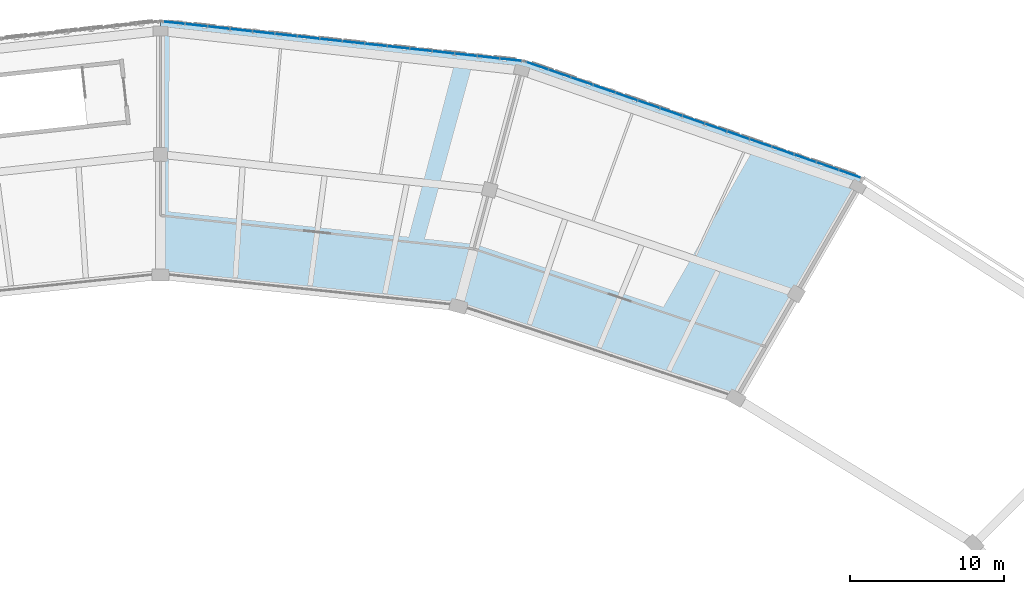
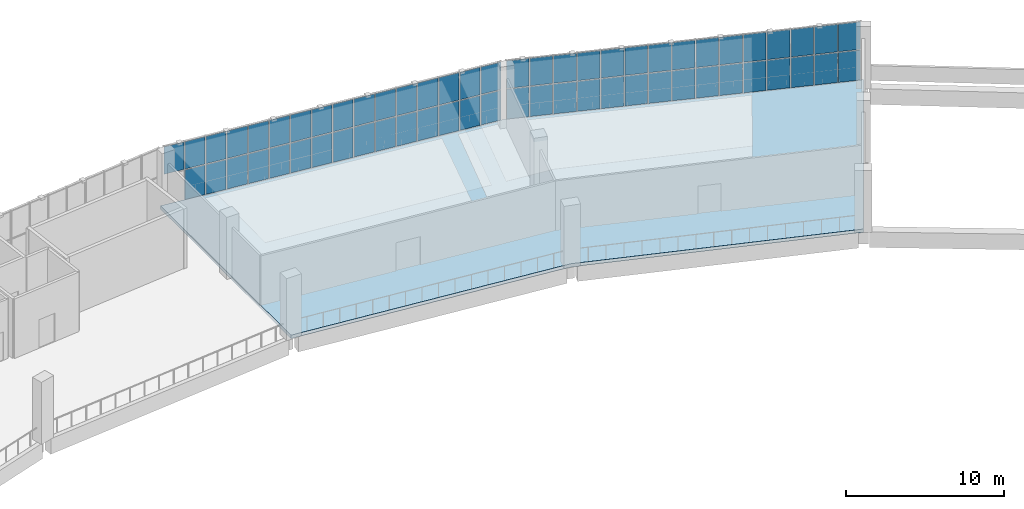
# One storey, part 41 of 64: 61 plates, 1 slab, 2 elements without a shape of their own.
"""IFC4 building model written with IfcOpenShell, lengths in metres."""

from ifc_helpers import new_model, si_unit, direction, frame, origin, origin_2d, place, context, subcontext, project, spatial, polyline, rectangle, outline, extrude, material, layer, layer_set, type_object, element, aggregate, save


model = new_model("IFC4")

# Units and contexts
model_context = context("Model", 3, precision=1e-05, world=origin(), true_north=direction((0.0, 1.0)))
body_context = subcontext(model_context, "Body", "Model", "MODEL_VIEW")
ifc_project = project(units=[si_unit("LENGTHUNIT", "METRE"), si_unit("AREAUNIT", "SQUARE_METRE"), si_unit("VOLUMEUNIT", "CUBIC_METRE"), si_unit("PLANEANGLEUNIT", "RADIAN"), si_unit("MASSUNIT", "GRAM", prefix="KILO")], contexts=[model_context])

# Site, building, storey
site_placement = place(None, origin())
site = spatial("IfcSite", under=ifc_project, at=site_placement, CompositionType="ELEMENT")
building_placement = place(site_placement, origin())
building = spatial("IfcBuilding", under=site, at=building_placement, Name="Zevraka Park Crest Stadium", CompositionType="ELEMENT")
storey_placement = place(building_placement, frame((0.0, 0.0, 24.60009765625)))
storey = spatial("IfcBuildingStorey", under=building, at=storey_placement, Name="L05", CompositionType="ELEMENT", Elevation=24.60009765625)

# Curtain wall, plates
ifc_material_1 = material(Name="Anodised architectural aluminium and laminated safety glass", Category="aluminium")
curtain_wall_type_1 = type_object("IfcCurtainWallType", Name="CW21", PredefinedType="NOTDEFINED", material=ifc_material_1)
curtain_wall_1_placement = place(storey_placement, origin())
curtain_wall_1 = element("IfcCurtainWall", 1, at=curtain_wall_1_placement, inside=storey, type_object=curtain_wall_type_1, Name="Unitised Ring Curtain Wall CW21 L05-05", PredefinedType="NOTDEFINED")
ifc_material_2 = material(Name="Solar-control laminated double glazing", Category="glass")
ifc_layer_1 = layer(ifc_material_2, 0.031982421875)
ifc_layer_set_1 = layer_set([ifc_layer_1], Name="Solar-control laminated double glazing")
plate_type_1 = type_object("IfcPlateType", Name="CP21", PredefinedType="CURTAIN_PANEL", material=ifc_layer_set_1)
plate_1_placement = place(storey_placement, frame((134.66015625, 165.427978515625, 0.06982421875), z_axis=(0.0, 0.0, 1.0), x_axis=(-0.994010156572, 0.109287733215, 0.0)))
plate_1 = element("IfcPlate", 2, at=plate_1_placement, type_object=plate_type_1, Name="CW21 panel 1.1", PredefinedType="CURTAIN_PANEL", context=body_context, shape_type="SweptSolid", body=[
    extrude(rectangle(XDim=1.3583984375, YDim=0.031982421875, at=origin_2d()), origin(), (0.0, 0.0, 1.0), 2.294921875),
])
plate_2_placement = place(storey_placement, frame((134.66015625, 165.427978515625, 2.43505859375), z_axis=(0.0, 0.0, 1.0), x_axis=(-0.994010156572, 0.109287733215, 0.0)))
plate_2 = element("IfcPlate", 3, at=plate_2_placement, type_object=plate_type_1, Name="CW21 panel 1.2", PredefinedType="CURTAIN_PANEL", context=body_context, shape_type="SweptSolid", body=[
    extrude(rectangle(XDim=1.3583984375, YDim=0.031982421875, at=origin_2d()), origin(), (0.0, 0.0, 1.0), 2.114990234375),
])
plate_3_placement = place(storey_placement, frame((133.222900390625, 165.5859375, 0.06982421875), z_axis=(0.0, 0.0, 1.0), x_axis=(-0.994010156572, 0.109287733215, 0.0)))
plate_3 = element("IfcPlate", 4, at=plate_3_placement, type_object=plate_type_1, Name="CW21 panel 2.1", PredefinedType="CURTAIN_PANEL", context=body_context, shape_type="SweptSolid", body=[
    extrude(rectangle(XDim=1.3935546875, YDim=0.031982421875, at=origin_2d()), origin(), (0.0, 0.0, 1.0), 2.294921875),
])
plate_4_placement = place(storey_placement, frame((133.222900390625, 165.5859375, 2.43505859375), z_axis=(0.0, 0.0, 1.0), x_axis=(-0.994010156572, 0.109287733215, 0.0)))
plate_4 = element("IfcPlate", 5, at=plate_4_placement, type_object=plate_type_1, Name="CW21 panel 2.2", PredefinedType="CURTAIN_PANEL", context=body_context, shape_type="SweptSolid", body=[
    extrude(rectangle(XDim=1.3935546875, YDim=0.031982421875, at=origin_2d()), origin(), (0.0, 0.0, 1.0), 2.114990234375),
])
plate_5_placement = place(storey_placement, frame((131.768310546875, 165.745849609375, 0.06982421875), z_axis=(0.0, 0.0, 1.0), x_axis=(-0.994010156572, 0.109287733215, 0.0)))
plate_5 = element("IfcPlate", 6, at=plate_5_placement, type_object=plate_type_1, Name="CW21 panel 3.1", PredefinedType="CURTAIN_PANEL", context=body_context, shape_type="SweptSolid", body=[
    extrude(rectangle(XDim=1.3935546875, YDim=0.031982421875, at=origin_2d()), origin(), (0.0, 0.0, 1.0), 2.294921875),
])
plate_6_placement = place(storey_placement, frame((131.768310546875, 165.745849609375, 2.43505859375), z_axis=(0.0, 0.0, 1.0), x_axis=(-0.994010156572, 0.109287733215, 0.0)))
plate_6 = element("IfcPlate", 7, at=plate_6_placement, type_object=plate_type_1, Name="CW21 panel 3.2", PredefinedType="CURTAIN_PANEL", context=body_context, shape_type="SweptSolid", body=[
    extrude(rectangle(XDim=1.3935546875, YDim=0.031982421875, at=origin_2d()), origin(), (0.0, 0.0, 1.0), 2.114990234375),
])
plate_7_placement = place(storey_placement, frame((130.3134765625, 165.90576171875, 0.06982421875), z_axis=(0.0, 0.0, 1.0), x_axis=(-0.994010156572, 0.109287733215, 0.0)))
plate_7 = element("IfcPlate", 8, at=plate_7_placement, type_object=plate_type_1, Name="CW21 panel 4.1", PredefinedType="CURTAIN_PANEL", context=body_context, shape_type="SweptSolid", body=[
    extrude(rectangle(XDim=1.3935546875, YDim=0.031982421875, at=origin_2d()), origin(), (0.0, 0.0, 1.0), 2.294921875),
])
plate_8_placement = place(storey_placement, frame((130.3134765625, 165.90576171875, 2.43505859375), z_axis=(0.0, 0.0, 1.0), x_axis=(-0.994010156572, 0.109287733215, 0.0)))
plate_8 = element("IfcPlate", 9, at=plate_8_placement, type_object=plate_type_1, Name="CW21 panel 4.2", PredefinedType="CURTAIN_PANEL", context=body_context, shape_type="SweptSolid", body=[
    extrude(rectangle(XDim=1.3935546875, YDim=0.031982421875, at=origin_2d()), origin(), (0.0, 0.0, 1.0), 2.114990234375),
])
plate_9_placement = place(storey_placement, frame((128.85888671875, 166.065673828125, 0.06982421875), z_axis=(0.0, 0.0, 1.0), x_axis=(-0.994010156572, 0.109287733215, 0.0)))
plate_9 = element("IfcPlate", 10, at=plate_9_placement, type_object=plate_type_1, Name="CW21 panel 5.1", PredefinedType="CURTAIN_PANEL", context=body_context, shape_type="SweptSolid", body=[
    extrude(rectangle(XDim=1.3935546875, YDim=0.031982421875, at=origin_2d()), origin(), (0.0, 0.0, 1.0), 2.294921875),
])
plate_10_placement = place(storey_placement, frame((128.85888671875, 166.065673828125, 2.43505859375), z_axis=(0.0, 0.0, 1.0), x_axis=(-0.994010156572, 0.109287733215, 0.0)))
plate_10 = element("IfcPlate", 11, at=plate_10_placement, type_object=plate_type_1, Name="CW21 panel 5.2", PredefinedType="CURTAIN_PANEL", context=body_context, shape_type="SweptSolid", body=[
    extrude(rectangle(XDim=1.3935546875, YDim=0.031982421875, at=origin_2d()), origin(), (0.0, 0.0, 1.0), 2.114990234375),
])
plate_11_placement = place(storey_placement, frame((127.404296875, 166.2255859375, 0.06982421875), z_axis=(0.0, 0.0, 1.0), x_axis=(-0.994010156572, 0.109287733215, 0.0)))
plate_11 = element("IfcPlate", 12, at=plate_11_placement, type_object=plate_type_1, Name="CW21 panel 6.1", PredefinedType="CURTAIN_PANEL", context=body_context, shape_type="SweptSolid", body=[
    extrude(rectangle(XDim=1.3935546875, YDim=0.031982421875, at=origin_2d()), origin(), (0.0, 0.0, 1.0), 2.294921875),
])
plate_12_placement = place(storey_placement, frame((127.404296875, 166.2255859375, 2.43505859375), z_axis=(0.0, 0.0, 1.0), x_axis=(-0.994010156572, 0.109287733215, 0.0)))
plate_12 = element("IfcPlate", 13, at=plate_12_placement, type_object=plate_type_1, Name="CW21 panel 6.2", PredefinedType="CURTAIN_PANEL", context=body_context, shape_type="SweptSolid", body=[
    extrude(rectangle(XDim=1.3935546875, YDim=0.031982421875, at=origin_2d()), origin(), (0.0, 0.0, 1.0), 2.114990234375),
])
plate_13_placement = place(storey_placement, frame((125.949462890625, 166.385498046875, 0.06982421875), z_axis=(0.0, 0.0, 1.0), x_axis=(-0.994010156572, 0.109287733215, 0.0)))
plate_13 = element("IfcPlate", 14, at=plate_13_placement, type_object=plate_type_1, Name="CW21 panel 7.1", PredefinedType="CURTAIN_PANEL", context=body_context, shape_type="SweptSolid", body=[
    extrude(rectangle(XDim=1.3935546875, YDim=0.031982421875, at=origin_2d()), origin(), (0.0, 0.0, 1.0), 2.294921875),
])
plate_14_placement = place(storey_placement, frame((125.949462890625, 166.385498046875, 2.43505859375), z_axis=(0.0, 0.0, 1.0), x_axis=(-0.994010156572, 0.109287733215, 0.0)))
plate_14 = element("IfcPlate", 15, at=plate_14_placement, type_object=plate_type_1, Name="CW21 panel 7.2", PredefinedType="CURTAIN_PANEL", context=body_context, shape_type="SweptSolid", body=[
    extrude(rectangle(XDim=1.3935546875, YDim=0.031982421875, at=origin_2d()), origin(), (0.0, 0.0, 1.0), 2.114990234375),
])
plate_15_placement = place(storey_placement, frame((124.494873046875, 166.54541015625, 0.06982421875), z_axis=(0.0, 0.0, 1.0), x_axis=(-0.994010156572, 0.109287733215, 0.0)))
plate_15 = element("IfcPlate", 16, at=plate_15_placement, type_object=plate_type_1, Name="CW21 panel 8.1", PredefinedType="CURTAIN_PANEL", context=body_context, shape_type="SweptSolid", body=[
    extrude(rectangle(XDim=1.3935546875, YDim=0.031982421875, at=origin_2d()), origin(), (0.0, 0.0, 1.0), 2.294921875),
])
plate_16_placement = place(storey_placement, frame((124.494873046875, 166.54541015625, 2.43505859375), z_axis=(0.0, 0.0, 1.0), x_axis=(-0.994010156572, 0.109287733215, 0.0)))
plate_16 = element("IfcPlate", 17, at=plate_16_placement, type_object=plate_type_1, Name="CW21 panel 8.2", PredefinedType="CURTAIN_PANEL", context=body_context, shape_type="SweptSolid", body=[
    extrude(rectangle(XDim=1.3935546875, YDim=0.031982421875, at=origin_2d()), origin(), (0.0, 0.0, 1.0), 2.114990234375),
])
plate_17_placement = place(storey_placement, frame((123.0400390625, 166.70556640625, 0.06982421875), z_axis=(0.0, 0.0, 1.0), x_axis=(-0.994010156572, 0.109287733215, 0.0)))
plate_17 = element("IfcPlate", 18, at=plate_17_placement, type_object=plate_type_1, Name="CW21 panel 9.1", PredefinedType="CURTAIN_PANEL", context=body_context, shape_type="SweptSolid", body=[
    extrude(rectangle(XDim=1.3935546875, YDim=0.031982421875, at=origin_2d()), origin(), (0.0, 0.0, 1.0), 2.294921875),
])
plate_18_placement = place(storey_placement, frame((123.0400390625, 166.70556640625, 2.43505859375), z_axis=(0.0, 0.0, 1.0), x_axis=(-0.994010156572, 0.109287733215, 0.0)))
plate_18 = element("IfcPlate", 19, at=plate_18_placement, type_object=plate_type_1, Name="CW21 panel 9.2", PredefinedType="CURTAIN_PANEL", context=body_context, shape_type="SweptSolid", body=[
    extrude(rectangle(XDim=1.3935546875, YDim=0.031982421875, at=origin_2d()), origin(), (0.0, 0.0, 1.0), 2.114990234375),
])
plate_19_placement = place(storey_placement, frame((121.58544921875, 166.865478515625, 0.06982421875), z_axis=(0.0, 0.0, 1.0), x_axis=(-0.994010156572, 0.109287733215, 0.0)))
plate_19 = element("IfcPlate", 20, at=plate_19_placement, type_object=plate_type_1, Name="CW21 panel 10.1", PredefinedType="CURTAIN_PANEL", context=body_context, shape_type="SweptSolid", body=[
    extrude(rectangle(XDim=1.3935546875, YDim=0.031982421875, at=origin_2d()), origin(), (0.0, 0.0, 1.0), 2.294921875),
])
plate_20_placement = place(storey_placement, frame((121.58544921875, 166.865478515625, 2.43505859375), z_axis=(0.0, 0.0, 1.0), x_axis=(-0.994010156572, 0.109287733215, 0.0)))
plate_20 = element("IfcPlate", 21, at=plate_20_placement, type_object=plate_type_1, Name="CW21 panel 10.2", PredefinedType="CURTAIN_PANEL", context=body_context, shape_type="SweptSolid", body=[
    extrude(rectangle(XDim=1.3935546875, YDim=0.031982421875, at=origin_2d()), origin(), (0.0, 0.0, 1.0), 2.114990234375),
])
plate_21_placement = place(storey_placement, frame((120.130859375, 167.025390625, 0.06982421875), z_axis=(0.0, 0.0, 1.0), x_axis=(-0.994010156572, 0.109287733215, 0.0)))
plate_21 = element("IfcPlate", 22, at=plate_21_placement, type_object=plate_type_1, Name="CW21 panel 11.1", PredefinedType="CURTAIN_PANEL", context=body_context, shape_type="SweptSolid", body=[
    extrude(rectangle(XDim=1.3935546875, YDim=0.031982421875, at=origin_2d()), origin(), (0.0, 0.0, 1.0), 2.294921875),
])
plate_22_placement = place(storey_placement, frame((120.130859375, 167.025390625, 2.43505859375), z_axis=(0.0, 0.0, 1.0), x_axis=(-0.994010156572, 0.109287733215, 0.0)))
plate_22 = element("IfcPlate", 23, at=plate_22_placement, type_object=plate_type_1, Name="CW21 panel 11.2", PredefinedType="CURTAIN_PANEL", context=body_context, shape_type="SweptSolid", body=[
    extrude(rectangle(XDim=1.3935546875, YDim=0.031982421875, at=origin_2d()), origin(), (0.0, 0.0, 1.0), 2.114990234375),
])
plate_23_placement = place(storey_placement, frame((118.676025390625, 167.185302734375, 0.06982421875), z_axis=(0.0, 0.0, 1.0), x_axis=(-0.994010156572, 0.109287733215, 0.0)))
plate_23 = element("IfcPlate", 24, at=plate_23_placement, type_object=plate_type_1, Name="CW21 panel 12.1", PredefinedType="CURTAIN_PANEL", context=body_context, shape_type="SweptSolid", body=[
    extrude(rectangle(XDim=1.3935546875, YDim=0.031982421875, at=origin_2d()), origin(), (0.0, 0.0, 1.0), 2.294921875),
])
plate_24_placement = place(storey_placement, frame((118.676025390625, 167.185302734375, 2.43505859375), z_axis=(0.0, 0.0, 1.0), x_axis=(-0.994010156572, 0.109287733215, 0.0)))
plate_24 = element("IfcPlate", 25, at=plate_24_placement, type_object=plate_type_1, Name="CW21 panel 12.2", PredefinedType="CURTAIN_PANEL", context=body_context, shape_type="SweptSolid", body=[
    extrude(rectangle(XDim=1.3935546875, YDim=0.031982421875, at=origin_2d()), origin(), (0.0, 0.0, 1.0), 2.114990234375),
])
plate_25_placement = place(storey_placement, frame((117.221435546875, 167.34521484375, 0.06982421875), z_axis=(0.0, 0.0, 1.0), x_axis=(-0.994010156572, 0.109287733215, 0.0)))
plate_25 = element("IfcPlate", 26, at=plate_25_placement, type_object=plate_type_1, Name="CW21 panel 13.1", PredefinedType="CURTAIN_PANEL", context=body_context, shape_type="SweptSolid", body=[
    extrude(rectangle(XDim=1.3935546875, YDim=0.031982421875, at=origin_2d()), origin(), (0.0, 0.0, 1.0), 2.294921875),
])
plate_26_placement = place(storey_placement, frame((117.221435546875, 167.34521484375, 2.43505859375), z_axis=(0.0, 0.0, 1.0), x_axis=(-0.994010156572, 0.109287733215, 0.0)))
plate_26 = element("IfcPlate", 27, at=plate_26_placement, type_object=plate_type_1, Name="CW21 panel 13.2", PredefinedType="CURTAIN_PANEL", context=body_context, shape_type="SweptSolid", body=[
    extrude(rectangle(XDim=1.3935546875, YDim=0.031982421875, at=origin_2d()), origin(), (0.0, 0.0, 1.0), 2.114990234375),
])
plate_27_placement = place(storey_placement, frame((115.7666015625, 167.505126953125, 0.06982421875), z_axis=(0.0, 0.0, 1.0), x_axis=(-0.994010156572, 0.109287733215, 0.0)))
plate_27 = element("IfcPlate", 28, at=plate_27_placement, type_object=plate_type_1, Name="CW21 panel 14.1", PredefinedType="CURTAIN_PANEL", context=body_context, shape_type="SweptSolid", body=[
    extrude(rectangle(XDim=1.3935546875, YDim=0.031982421875, at=origin_2d()), origin(), (0.0, 0.0, 1.0), 2.294921875),
])
plate_28_placement = place(storey_placement, frame((115.7666015625, 167.505126953125, 2.43505859375), z_axis=(0.0, 0.0, 1.0), x_axis=(-0.994010156572, 0.109287733215, 0.0)))
plate_28 = element("IfcPlate", 29, at=plate_28_placement, type_object=plate_type_1, Name="CW21 panel 14.2", PredefinedType="CURTAIN_PANEL", context=body_context, shape_type="SweptSolid", body=[
    extrude(rectangle(XDim=1.3935546875, YDim=0.031982421875, at=origin_2d()), origin(), (0.0, 0.0, 1.0), 2.114990234375),
])
plate_29_placement = place(storey_placement, frame((114.31201171875, 167.6650390625, 0.06982421875), z_axis=(0.0, 0.0, 1.0), x_axis=(-0.994010156572, 0.109287733215, 0.0)))
plate_29 = element("IfcPlate", 30, at=plate_29_placement, type_object=plate_type_1, Name="CW21 panel 15.1", PredefinedType="CURTAIN_PANEL", context=body_context, shape_type="SweptSolid", body=[
    extrude(rectangle(XDim=1.3935546875, YDim=0.031982421875, at=origin_2d()), origin(), (0.0, 0.0, 1.0), 2.294921875),
])
plate_30_placement = place(storey_placement, frame((114.31201171875, 167.6650390625, 2.43505859375), z_axis=(0.0, 0.0, 1.0), x_axis=(-0.994010156572, 0.109287733215, 0.0)))
plate_30 = element("IfcPlate", 31, at=plate_30_placement, type_object=plate_type_1, Name="CW21 panel 15.2", PredefinedType="CURTAIN_PANEL", context=body_context, shape_type="SweptSolid", body=[
    extrude(rectangle(XDim=1.3935546875, YDim=0.031982421875, at=origin_2d()), origin(), (0.0, 0.0, 1.0), 2.114990234375),
])
plate_31_placement = place(storey_placement, frame((112.874755859375, 167.822998046875, 2.43505859375), z_axis=(0.0, 0.0, 1.0), x_axis=(-0.994010156572, 0.109287733215, 0.0)))
plate_31 = element("IfcPlate", 32, at=plate_31_placement, type_object=plate_type_1, Name="CW21 panel 16.2", PredefinedType="CURTAIN_PANEL", context=body_context, shape_type="SweptSolid", body=[
    extrude(rectangle(XDim=1.3583984375, YDim=0.031982421875, at=origin_2d()), origin(), (0.0, 0.0, 1.0), 2.114990234375),
])
aggregate(curtain_wall_1, [plate_1, plate_2, plate_3, plate_4, plate_5, plate_6, plate_7, plate_8, plate_9, plate_10, plate_11, plate_12, plate_13, plate_14, plate_15, plate_16, plate_17, plate_18, plate_19, plate_20, plate_21, plate_22, plate_23, plate_24, plate_25, plate_26, plate_27, plate_28, plate_29, plate_30, plate_31])

ifc_material_3 = material(Name="Anodised architectural aluminium and laminated safety glass", Category="aluminium")
curtain_wall_type_2 = type_object("IfcCurtainWallType", Name="CW22", PredefinedType="NOTDEFINED", material=ifc_material_3)
curtain_wall_2_placement = place(storey_placement, origin())
curtain_wall_2 = element("IfcCurtainWall", 33, at=curtain_wall_2_placement, inside=storey, type_object=curtain_wall_type_2, Name="Unitised Ring Curtain Wall CW22 L05-04", PredefinedType="NOTDEFINED")
ifc_material_4 = material(Name="Solar-control laminated double glazing", Category="glass")
ifc_layer_2 = layer(ifc_material_4, 0.031982421875)
ifc_layer_set_2 = layer_set([ifc_layer_2], Name="Solar-control laminated double glazing")
plate_type_2 = type_object("IfcPlateType", Name="CP22", PredefinedType="CURTAIN_PANEL", material=ifc_layer_set_2)
plate_32_placement = place(storey_placement, frame((156.60498046875, 158.04296875, 0.059814453125), z_axis=(0.0, 0.0, 1.0), x_axis=(-0.945048755979, 0.326929424834, 0.0)))
plate_32 = element("IfcPlate", 34, at=plate_32_placement, type_object=plate_type_2, Name="CW22 panel 1.1", PredefinedType="CURTAIN_PANEL", context=body_context, shape_type="SweptSolid", body=[
    extrude(rectangle(XDim=1.439697265625, YDim=0.031982421875, at=origin_2d()), origin(), (0.0, 0.0, 1.0), 2.31005859375),
])
plate_33_placement = place(storey_placement, frame((156.60498046875, 158.04296875, 2.429931640625), z_axis=(0.0, 0.0, 1.0), x_axis=(-0.945048755979, 0.326929424834, 0.0)))
plate_33 = element("IfcPlate", 35, at=plate_33_placement, type_object=plate_type_2, Name="CW22 panel 1.2", PredefinedType="CURTAIN_PANEL", context=body_context, shape_type="SweptSolid", body=[
    extrude(rectangle(XDim=1.439697265625, YDim=0.031982421875, at=origin_2d()), origin(), (0.0, 0.0, 1.0), 2.1298828125),
])
plate_34_placement = place(storey_placement, frame((155.173583984375, 158.5380859375, 0.059814453125), z_axis=(0.0, 0.0, 1.0), x_axis=(-0.945048755979, 0.326929424834, 0.0)))
plate_34 = element("IfcPlate", 36, at=plate_34_placement, type_object=plate_type_2, Name="CW22 panel 2.1", PredefinedType="CURTAIN_PANEL", context=body_context, shape_type="SweptSolid", body=[
    extrude(rectangle(XDim=1.469482421875, YDim=0.031982421875, at=origin_2d()), origin(), (0.0, 0.0, 1.0), 2.31005859375),
])
plate_35_placement = place(storey_placement, frame((155.173583984375, 158.5380859375, 2.429931640625), z_axis=(0.0, 0.0, 1.0), x_axis=(-0.945048755979, 0.326929424834, 0.0)))
plate_35 = element("IfcPlate", 37, at=plate_35_placement, type_object=plate_type_2, Name="CW22 panel 2.2", PredefinedType="CURTAIN_PANEL", context=body_context, shape_type="SweptSolid", body=[
    extrude(rectangle(XDim=1.469482421875, YDim=0.031982421875, at=origin_2d()), origin(), (0.0, 0.0, 1.0), 2.1298828125),
])
plate_36_placement = place(storey_placement, frame((153.728271484375, 159.0380859375, 0.059814453125), z_axis=(0.0, 0.0, 1.0), x_axis=(-0.945048755979, 0.326929424834, 0.0)))
plate_36 = element("IfcPlate", 38, at=plate_36_placement, type_object=plate_type_2, Name="CW22 panel 3.1", PredefinedType="CURTAIN_PANEL", context=body_context, shape_type="SweptSolid", body=[
    extrude(rectangle(XDim=1.469482421875, YDim=0.031982421875, at=origin_2d()), origin(), (0.0, 0.0, 1.0), 2.31005859375),
])
plate_37_placement = place(storey_placement, frame((153.728271484375, 159.0380859375, 2.429931640625), z_axis=(0.0, 0.0, 1.0), x_axis=(-0.945048755979, 0.326929424834, 0.0)))
plate_37 = element("IfcPlate", 39, at=plate_37_placement, type_object=plate_type_2, Name="CW22 panel 3.2", PredefinedType="CURTAIN_PANEL", context=body_context, shape_type="SweptSolid", body=[
    extrude(rectangle(XDim=1.469482421875, YDim=0.031982421875, at=origin_2d()), origin(), (0.0, 0.0, 1.0), 2.1298828125),
])
plate_38_placement = place(storey_placement, frame((152.28271484375, 159.538330078125, 0.059814453125), z_axis=(0.0, 0.0, 1.0), x_axis=(-0.945048755979, 0.326929424834, 0.0)))
plate_38 = element("IfcPlate", 40, at=plate_38_placement, type_object=plate_type_2, Name="CW22 panel 4.1", PredefinedType="CURTAIN_PANEL", context=body_context, shape_type="SweptSolid", body=[
    extrude(rectangle(XDim=1.469482421875, YDim=0.031982421875, at=origin_2d()), origin(), (0.0, 0.0, 1.0), 2.31005859375),
])
plate_39_placement = place(storey_placement, frame((152.28271484375, 159.538330078125, 2.429931640625), z_axis=(0.0, 0.0, 1.0), x_axis=(-0.945048755979, 0.326929424834, 0.0)))
plate_39 = element("IfcPlate", 41, at=plate_39_placement, type_object=plate_type_2, Name="CW22 panel 4.2", PredefinedType="CURTAIN_PANEL", context=body_context, shape_type="SweptSolid", body=[
    extrude(rectangle(XDim=1.469482421875, YDim=0.031982421875, at=origin_2d()), origin(), (0.0, 0.0, 1.0), 2.1298828125),
])
plate_40_placement = place(storey_placement, frame((150.837158203125, 160.038330078125, 0.059814453125), z_axis=(0.0, 0.0, 1.0), x_axis=(-0.945048755979, 0.326929424834, 0.0)))
plate_40 = element("IfcPlate", 42, at=plate_40_placement, type_object=plate_type_2, Name="CW22 panel 5.1", PredefinedType="CURTAIN_PANEL", context=body_context, shape_type="SweptSolid", body=[
    extrude(rectangle(XDim=1.469482421875, YDim=0.031982421875, at=origin_2d()), origin(), (0.0, 0.0, 1.0), 2.31005859375),
])
plate_41_placement = place(storey_placement, frame((150.837158203125, 160.038330078125, 2.429931640625), z_axis=(0.0, 0.0, 1.0), x_axis=(-0.945048755979, 0.326929424834, 0.0)))
plate_41 = element("IfcPlate", 43, at=plate_41_placement, type_object=plate_type_2, Name="CW22 panel 5.2", PredefinedType="CURTAIN_PANEL", context=body_context, shape_type="SweptSolid", body=[
    extrude(rectangle(XDim=1.469482421875, YDim=0.031982421875, at=origin_2d()), origin(), (0.0, 0.0, 1.0), 2.1298828125),
])
plate_42_placement = place(storey_placement, frame((149.3916015625, 160.538330078125, 0.059814453125), z_axis=(0.0, 0.0, 1.0), x_axis=(-0.945048755979, 0.326929424834, 0.0)))
plate_42 = element("IfcPlate", 44, at=plate_42_placement, type_object=plate_type_2, Name="CW22 panel 6.1", PredefinedType="CURTAIN_PANEL", context=body_context, shape_type="SweptSolid", body=[
    extrude(rectangle(XDim=1.469482421875, YDim=0.031982421875, at=origin_2d()), origin(), (0.0, 0.0, 1.0), 2.31005859375),
])
plate_43_placement = place(storey_placement, frame((149.3916015625, 160.538330078125, 2.429931640625), z_axis=(0.0, 0.0, 1.0), x_axis=(-0.945048755979, 0.326929424834, 0.0)))
plate_43 = element("IfcPlate", 45, at=plate_43_placement, type_object=plate_type_2, Name="CW22 panel 6.2", PredefinedType="CURTAIN_PANEL", context=body_context, shape_type="SweptSolid", body=[
    extrude(rectangle(XDim=1.469482421875, YDim=0.031982421875, at=origin_2d()), origin(), (0.0, 0.0, 1.0), 2.1298828125),
])
plate_44_placement = place(storey_placement, frame((147.946044921875, 161.038330078125, 0.059814453125), z_axis=(0.0, 0.0, 1.0), x_axis=(-0.945048755979, 0.326929424834, 0.0)))
plate_44 = element("IfcPlate", 46, at=plate_44_placement, type_object=plate_type_2, Name="CW22 panel 7.1", PredefinedType="CURTAIN_PANEL", context=body_context, shape_type="SweptSolid", body=[
    extrude(rectangle(XDim=1.469482421875, YDim=0.031982421875, at=origin_2d()), origin(), (0.0, 0.0, 1.0), 2.31005859375),
])
plate_45_placement = place(storey_placement, frame((147.946044921875, 161.038330078125, 2.429931640625), z_axis=(0.0, 0.0, 1.0), x_axis=(-0.945048755979, 0.326929424834, 0.0)))
plate_45 = element("IfcPlate", 47, at=plate_45_placement, type_object=plate_type_2, Name="CW22 panel 7.2", PredefinedType="CURTAIN_PANEL", context=body_context, shape_type="SweptSolid", body=[
    extrude(rectangle(XDim=1.469482421875, YDim=0.031982421875, at=origin_2d()), origin(), (0.0, 0.0, 1.0), 2.1298828125),
])
plate_46_placement = place(storey_placement, frame((146.50048828125, 161.53857421875, 0.059814453125), z_axis=(0.0, 0.0, 1.0), x_axis=(-0.945048755979, 0.326929424834, 0.0)))
plate_46 = element("IfcPlate", 48, at=plate_46_placement, type_object=plate_type_2, Name="CW22 panel 8.1", PredefinedType="CURTAIN_PANEL", context=body_context, shape_type="SweptSolid", body=[
    extrude(rectangle(XDim=1.469482421875, YDim=0.031982421875, at=origin_2d()), origin(), (0.0, 0.0, 1.0), 2.31005859375),
])
plate_47_placement = place(storey_placement, frame((146.50048828125, 161.53857421875, 2.429931640625), z_axis=(0.0, 0.0, 1.0), x_axis=(-0.945048755979, 0.326929424834, 0.0)))
plate_47 = element("IfcPlate", 49, at=plate_47_placement, type_object=plate_type_2, Name="CW22 panel 8.2", PredefinedType="CURTAIN_PANEL", context=body_context, shape_type="SweptSolid", body=[
    extrude(rectangle(XDim=1.469482421875, YDim=0.031982421875, at=origin_2d()), origin(), (0.0, 0.0, 1.0), 2.1298828125),
])
plate_48_placement = place(storey_placement, frame((145.054931640625, 162.03857421875, 0.059814453125), z_axis=(0.0, 0.0, 1.0), x_axis=(-0.945048755979, 0.326929424834, 0.0)))
plate_48 = element("IfcPlate", 50, at=plate_48_placement, type_object=plate_type_2, Name="CW22 panel 9.1", PredefinedType="CURTAIN_PANEL", context=body_context, shape_type="SweptSolid", body=[
    extrude(rectangle(XDim=1.469482421875, YDim=0.031982421875, at=origin_2d()), origin(), (0.0, 0.0, 1.0), 2.31005859375),
])
plate_49_placement = place(storey_placement, frame((145.054931640625, 162.03857421875, 2.429931640625), z_axis=(0.0, 0.0, 1.0), x_axis=(-0.945048755979, 0.326929424834, 0.0)))
plate_49 = element("IfcPlate", 51, at=plate_49_placement, type_object=plate_type_2, Name="CW22 panel 9.2", PredefinedType="CURTAIN_PANEL", context=body_context, shape_type="SweptSolid", body=[
    extrude(rectangle(XDim=1.469482421875, YDim=0.031982421875, at=origin_2d()), origin(), (0.0, 0.0, 1.0), 2.1298828125),
])
plate_50_placement = place(storey_placement, frame((143.609375, 162.53857421875, 0.059814453125), z_axis=(0.0, 0.0, 1.0), x_axis=(-0.945048755979, 0.326929424834, 0.0)))
plate_50 = element("IfcPlate", 52, at=plate_50_placement, type_object=plate_type_2, Name="CW22 panel 10.1", PredefinedType="CURTAIN_PANEL", context=body_context, shape_type="SweptSolid", body=[
    extrude(rectangle(XDim=1.469482421875, YDim=0.031982421875, at=origin_2d()), origin(), (0.0, 0.0, 1.0), 2.31005859375),
])
plate_51_placement = place(storey_placement, frame((143.609375, 162.53857421875, 2.429931640625), z_axis=(0.0, 0.0, 1.0), x_axis=(-0.945048755979, 0.326929424834, 0.0)))
plate_51 = element("IfcPlate", 53, at=plate_51_placement, type_object=plate_type_2, Name="CW22 panel 10.2", PredefinedType="CURTAIN_PANEL", context=body_context, shape_type="SweptSolid", body=[
    extrude(rectangle(XDim=1.469482421875, YDim=0.031982421875, at=origin_2d()), origin(), (0.0, 0.0, 1.0), 2.1298828125),
])
plate_52_placement = place(storey_placement, frame((142.163818359375, 163.038818359375, 0.059814453125), z_axis=(0.0, 0.0, 1.0), x_axis=(-0.945048755979, 0.326929424834, 0.0)))
plate_52 = element("IfcPlate", 54, at=plate_52_placement, type_object=plate_type_2, Name="CW22 panel 11.1", PredefinedType="CURTAIN_PANEL", context=body_context, shape_type="SweptSolid", body=[
    extrude(rectangle(XDim=1.469482421875, YDim=0.031982421875, at=origin_2d()), origin(), (0.0, 0.0, 1.0), 2.31005859375),
])
plate_53_placement = place(storey_placement, frame((142.163818359375, 163.038818359375, 2.429931640625), z_axis=(0.0, 0.0, 1.0), x_axis=(-0.945048755979, 0.326929424834, 0.0)))
plate_53 = element("IfcPlate", 55, at=plate_53_placement, type_object=plate_type_2, Name="CW22 panel 11.2", PredefinedType="CURTAIN_PANEL", context=body_context, shape_type="SweptSolid", body=[
    extrude(rectangle(XDim=1.469482421875, YDim=0.031982421875, at=origin_2d()), origin(), (0.0, 0.0, 1.0), 2.1298828125),
])
plate_54_placement = place(storey_placement, frame((140.71826171875, 163.538818359375, 0.059814453125), z_axis=(0.0, 0.0, 1.0), x_axis=(-0.945048755979, 0.326929424834, 0.0)))
plate_54 = element("IfcPlate", 56, at=plate_54_placement, type_object=plate_type_2, Name="CW22 panel 12.1", PredefinedType="CURTAIN_PANEL", context=body_context, shape_type="SweptSolid", body=[
    extrude(rectangle(XDim=1.469482421875, YDim=0.031982421875, at=origin_2d()), origin(), (0.0, 0.0, 1.0), 2.31005859375),
])
plate_55_placement = place(storey_placement, frame((140.71826171875, 163.538818359375, 2.429931640625), z_axis=(0.0, 0.0, 1.0), x_axis=(-0.945048755979, 0.326929424834, 0.0)))
plate_55 = element("IfcPlate", 57, at=plate_55_placement, type_object=plate_type_2, Name="CW22 panel 12.2", PredefinedType="CURTAIN_PANEL", context=body_context, shape_type="SweptSolid", body=[
    extrude(rectangle(XDim=1.469482421875, YDim=0.031982421875, at=origin_2d()), origin(), (0.0, 0.0, 1.0), 2.1298828125),
])
plate_56_placement = place(storey_placement, frame((139.27294921875, 164.038818359375, 0.059814453125), z_axis=(0.0, 0.0, 1.0), x_axis=(-0.945048755979, 0.326929424834, 0.0)))
plate_56 = element("IfcPlate", 58, at=plate_56_placement, type_object=plate_type_2, Name="CW22 panel 13.1", PredefinedType="CURTAIN_PANEL", context=body_context, shape_type="SweptSolid", body=[
    extrude(rectangle(XDim=1.469482421875, YDim=0.031982421875, at=origin_2d()), origin(), (0.0, 0.0, 1.0), 2.31005859375),
])
plate_57_placement = place(storey_placement, frame((139.27294921875, 164.038818359375, 2.429931640625), z_axis=(0.0, 0.0, 1.0), x_axis=(-0.945048755979, 0.326929424834, 0.0)))
plate_57 = element("IfcPlate", 59, at=plate_57_placement, type_object=plate_type_2, Name="CW22 panel 13.2", PredefinedType="CURTAIN_PANEL", context=body_context, shape_type="SweptSolid", body=[
    extrude(rectangle(XDim=1.469482421875, YDim=0.031982421875, at=origin_2d()), origin(), (0.0, 0.0, 1.0), 2.1298828125),
])
plate_58_placement = place(storey_placement, frame((137.827392578125, 164.538818359375, 0.059814453125), z_axis=(0.0, 0.0, 1.0), x_axis=(-0.945048755979, 0.326929424834, 0.0)))
plate_58 = element("IfcPlate", 60, at=plate_58_placement, type_object=plate_type_2, Name="CW22 panel 14.1", PredefinedType="CURTAIN_PANEL", context=body_context, shape_type="SweptSolid", body=[
    extrude(rectangle(XDim=1.469482421875, YDim=0.031982421875, at=origin_2d()), origin(), (0.0, 0.0, 1.0), 2.31005859375),
])
plate_59_placement = place(storey_placement, frame((137.827392578125, 164.538818359375, 2.429931640625), z_axis=(0.0, 0.0, 1.0), x_axis=(-0.945048755979, 0.326929424834, 0.0)))
plate_59 = element("IfcPlate", 61, at=plate_59_placement, type_object=plate_type_2, Name="CW22 panel 14.2", PredefinedType="CURTAIN_PANEL", context=body_context, shape_type="SweptSolid", body=[
    extrude(rectangle(XDim=1.469482421875, YDim=0.031982421875, at=origin_2d()), origin(), (0.0, 0.0, 1.0), 2.1298828125),
])
plate_60_placement = place(storey_placement, frame((136.39599609375, 165.0341796875, 0.059814453125), z_axis=(0.0, 0.0, 1.0), x_axis=(-0.945048755979, 0.326929424834, 0.0)))
plate_60 = element("IfcPlate", 62, at=plate_60_placement, type_object=plate_type_2, Name="CW22 panel 15.1", PredefinedType="CURTAIN_PANEL", context=body_context, shape_type="SweptSolid", body=[
    extrude(rectangle(XDim=1.439697265625, YDim=0.031982421875, at=origin_2d()), origin(), (0.0, 0.0, 1.0), 2.31005859375),
])
plate_61_placement = place(storey_placement, frame((136.39599609375, 165.0341796875, 2.429931640625), z_axis=(0.0, 0.0, 1.0), x_axis=(-0.945048755979, 0.326929424834, 0.0)))
plate_61 = element("IfcPlate", 63, at=plate_61_placement, type_object=plate_type_2, Name="CW22 panel 15.2", PredefinedType="CURTAIN_PANEL", context=body_context, shape_type="SweptSolid", body=[
    extrude(rectangle(XDim=1.439697265625, YDim=0.031982421875, at=origin_2d()), origin(), (0.0, 0.0, 1.0), 2.1298828125),
])
aggregate(curtain_wall_2, [plate_32, plate_33, plate_34, plate_35, plate_36, plate_37, plate_38, plate_39, plate_40, plate_41, plate_42, plate_43, plate_44, plate_45, plate_46, plate_47, plate_48, plate_49, plate_50, plate_51, plate_52, plate_53, plate_54, plate_55, plate_56, plate_57, plate_58, plate_59, plate_60, plate_61])

# Slab
ifc_material_5 = material(Name="Concrete C35/45", Category="concrete")
ifc_layer_3 = layer(ifc_material_5, 0.260009765625)
ifc_layer_set_3 = layer_set([ifc_layer_3], Name="Concrete C35/45")
slab_type = type_object("IfcSlabType", Name="FS03", PredefinedType="FLOOR", material=ifc_layer_set_3)
slab_placement = place(storey_placement, frame((0.0, 0.0, -0.260009765625)))
element("IfcSlab", 64, at=slab_placement, inside=storey, type_object=slab_type, Name="Bowl Concourse Ring Slab L05 Q1-NE-2", PredefinedType="FLOOR", context=body_context, shape_type="SweptSolid", body=[
    extrude(outline(polyline([(149.25, 143.529052734375), (131.281982421875, 149.472900390625), (112.0, 151.5), (112.0, 168.0), (135.552978515625, 165.409912109375), (157.5, 157.818115234375), (149.25, 143.529052734375)])), origin(), (0.0, 0.0, 1.0), 0.260009765625),
])

save(model, "model.ifc")
